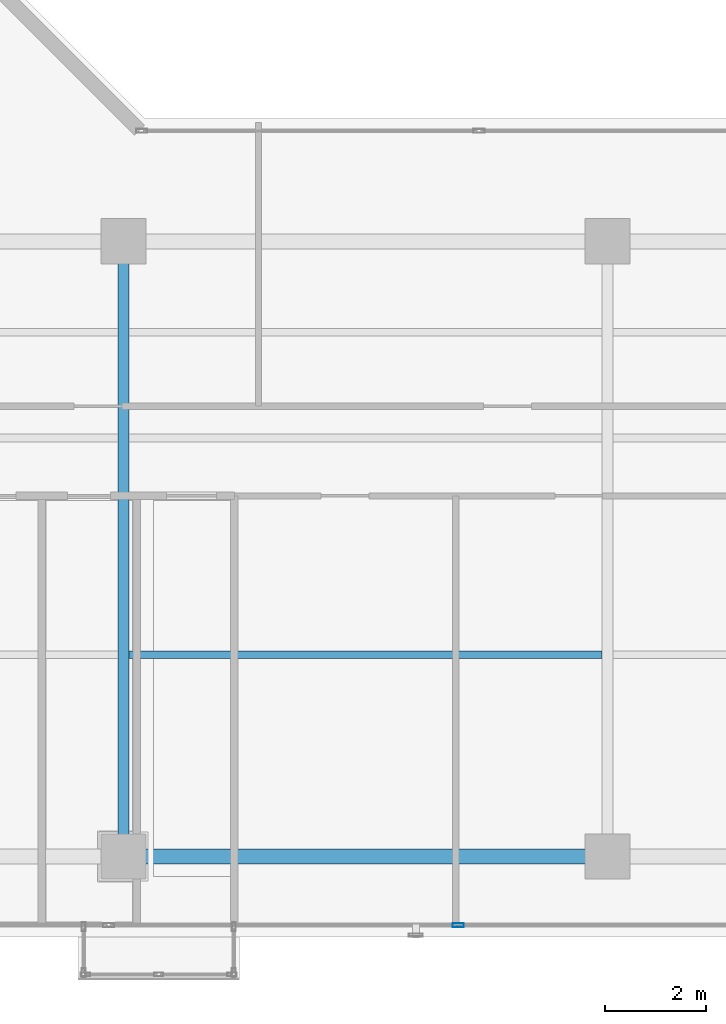
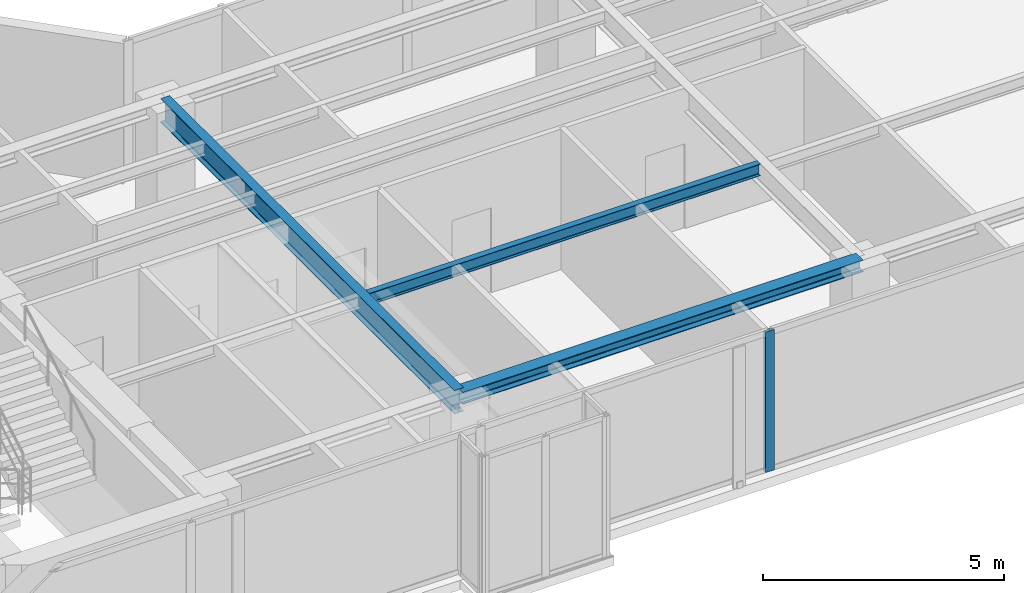
# One storey, part 5 of 22: 3 beams, 1 member, 1 element without a shape of its own.
"""IFC4 building model written with IfcOpenShell, lengths in metres."""

from ifc_helpers import new_model, si_unit, direction, frame, origin, origin_with_axes, origin_2d, place, context, subcontext, project, spatial, hollow_rectangle, i_section, extrude, source, transform, mapped, material, layer, layer_set, material_profile, profile_set, type_object, element, aggregate, save


model = new_model("IFC4")

# Units and contexts
model_context = context("Model", 3, precision=1e-05, world=origin(), true_north=direction((0.0, 1.0)))
body_context = subcontext(model_context, "Body", "Model", "MODEL_VIEW")
ifc_project = project(units=[si_unit("LENGTHUNIT", "METRE"), si_unit("AREAUNIT", "SQUARE_METRE"), si_unit("VOLUMEUNIT", "CUBIC_METRE"), si_unit("PLANEANGLEUNIT", "RADIAN"), si_unit("MASSUNIT", "GRAM", prefix="KILO")], contexts=[model_context])

# Site, building, storey
site_placement = place(None, origin())
site = spatial("IfcSite", under=ifc_project, at=site_placement, CompositionType="ELEMENT")
building_placement = place(site_placement, origin())
building = spatial("IfcBuilding", under=site, at=building_placement, Name="Kolvaren Waterfront Exchange", CompositionType="ELEMENT")
storey_placement = place(building_placement, frame((0.0, 0.0, 323.60009765625)))
storey = spatial("IfcBuildingStorey", under=building, at=storey_placement, Name="L83", CompositionType="ELEMENT", Elevation=323.60009765625)

# Beams
ifc_material_1 = material(Name="Steel S355", Category="steel")
ifc_material_profile_1 = material_profile(ifc_material_1, i_section(OverallWidth=0.300048828125, OverallDepth=0.300048828125, WebThickness=0.010986328125, FlangeThickness=0.01904296875, FilletRadius=0.027099609375, at=origin_2d()), Name="HEB300")
ifc_profile_set_1 = profile_set([ifc_material_profile_1], Name="Steel S355")
beam_type_1 = type_object("IfcBeamType", Name="STR-BM-HEB300", PredefinedType="SPANDREL", material=ifc_profile_set_1)
beam_1_placement = place(storey_placement, frame((27.199951171875, 5.199951171875, 3.409912109375), z_axis=(1.0, 0.0, 0.0), x_axis=(0.0, 1.0, 0.0)))
element("IfcBeam", 1, at=beam_1_placement, inside=storey, type_object=beam_type_1, Name="L83 east-arm spandrel S2", PredefinedType="SPANDREL", context=body_context, shape_type="SweptSolid", body=[
    extrude(i_section(OverallWidth=0.300048828125, OverallDepth=0.300048828125, WebThickness=0.010986328125, FlangeThickness=0.01904296875, FilletRadius=0.027099609375, at=origin_2d()), origin(), (0.0, 0.0, 1.0), 9.60009765625),
])
ifc_material_profile_2 = material_profile(ifc_material_1, i_section(OverallWidth=0.14990234375, OverallDepth=0.300048828125, WebThickness=0.007080078125, FlangeThickness=0.0107421875, FilletRadius=0.014892578125, at=origin_2d()), Name="IPE300")
ifc_profile_set_2 = profile_set([ifc_material_profile_2], Name="Steel S355")
beam_type_2 = type_object("IfcBeamType", Name="STR-BM-IPE300", PredefinedType="JOIST", material=ifc_profile_set_2)
beam_2_placement = place(storey_placement, frame((27.31201171875, 9.199951171875, 3.409912109375), z_axis=(1.0, 0.0, 0.0), x_axis=(0.0, 1.0, 0.0)))
element("IfcBeam", 2, at=beam_2_placement, inside=storey, type_object=beam_type_2, Name="L83 east-arm composite joist 2B", PredefinedType="JOIST", context=body_context, shape_type="SweptSolid", body=[
    extrude(i_section(OverallWidth=0.14990234375, OverallDepth=0.300048828125, WebThickness=0.007080078125, FlangeThickness=0.0107421875, FilletRadius=0.014892578125, at=origin_2d()), origin(), (0.0, 0.0, 1.0), 9.3759765625),
])
ifc_material_profile_3 = material_profile(ifc_material_1, i_section(OverallWidth=0.219970703125, OverallDepth=0.60009765625, WebThickness=0.011962890625, FlangeThickness=0.01904296875, FilletRadius=0.02392578125, at=origin_2d()), Name="IPE600")
ifc_profile_set_3 = profile_set([ifc_material_profile_3], Name="Steel S355")
beam_type_3 = type_object("IfcBeamType", Name="STR-BM-IPE600", PredefinedType="BEAM", material=ifc_profile_set_3)
beam_3_placement = place(storey_placement, frame((27.199951171875, 5.199951171875, 3.260009765625), z_axis=(0.0, 1.0, 0.0), x_axis=(-1.0, 0.0, 0.0)))
element("IfcBeam", 3, at=beam_3_placement, inside=storey, type_object=beam_type_3, Name="L83 east-arm transverse girder X27", PredefinedType="BEAM", context=body_context, shape_type="SweptSolid", body=[
    extrude(i_section(OverallWidth=0.219970703125, OverallDepth=0.60009765625, WebThickness=0.011962890625, FlangeThickness=0.01904296875, FilletRadius=0.02392578125, at=origin_2d()), origin(), (0.0, 0.0, 1.0), 12.199951171875),
])

# Curtain wall, member
ifc_material_2 = material(Name="Anodised bronze aluminium 6063-T6", Category="aluminium")
ifc_layer = layer(ifc_material_2, 0.219970703125, Name="Anodised bronze aluminium 6063-T6")
ifc_layer_set = layer_set([ifc_layer], Name="Anodised bronze aluminium 6063-T6")
curtain_wall_type = type_object("IfcCurtainWallType", Name="ARC-CW-SYS1", PredefinedType="USERDEFINED", material=ifc_layer_set)
curtain_wall_placement = place(storey_placement, origin())
curtain_wall = element("IfcCurtainWall", 4, at=curtain_wall_placement, inside=storey, type_object=curtain_wall_type, Name="L83 stick curtain wall CW1 (CW-L83-S)", ObjectType="STICK CURTAIN WALL", PredefinedType="USERDEFINED")
ifc_material_3 = material(Name="Anodised aluminium 6063-T6", Category="aluminium")
ifc_material_profile_4 = material_profile(ifc_material_3, hollow_rectangle(XDim=0.080078125, YDim=0.219970703125, WallThickness=0.0048828125, at=origin_2d()), Name="ALU-MUL-220x80x5")
ifc_profile_set_4 = profile_set([ifc_material_profile_4], Name="Anodised aluminium 6063-T6")
member_type = type_object("IfcMemberType", Name="ARC-CWM-220", PredefinedType="MULLION", material=ifc_profile_set_4)
shared_shape = source(origin_with_axes(), body_context, "Body", "SweptSolid", [
    extrude(hollow_rectangle(XDim=0.080078125, YDim=0.219970703125, WallThickness=0.0048828125, at=origin_2d()), origin(), (0.0, 0.0, 1.0), 3.559814453125),
])
member_placement = place(storey_placement, frame((33.84033203125, 3.840087890625, 0.0), z_axis=(0.0, 0.0, 1.0), x_axis=(0.0, 1.0, 0.0)))
member = element("IfcMember", 5, at=member_placement, type_object=member_type, Name="CW1 mullion 5", PredefinedType="MULLION", context=body_context, shape_type="MappedRepresentation", body=[
    mapped(shared_shape, transform((0.0, 0.0, 0.0), x_axis=(1.0, 0.0, 0.0), y_axis=(0.0, 1.0, 0.0), z_axis=(0.0, 0.0, 1.0), scale=1.0)),
])
aggregate(curtain_wall, [member])

save(model, "model.ifc")
